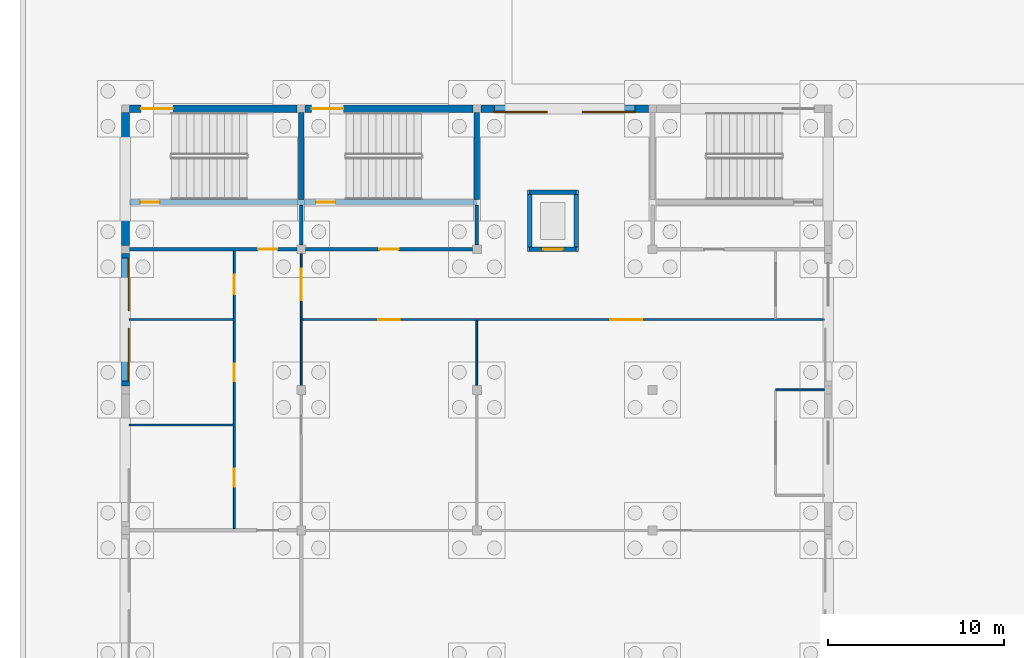
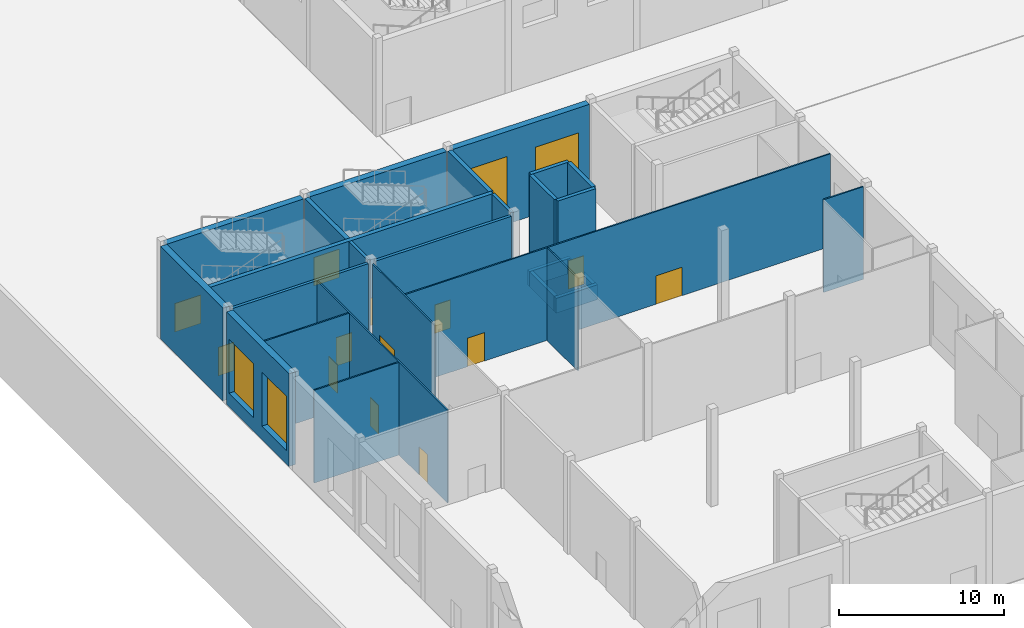
# One storey, part 167 of 239: 27 walls, 13 doors, 4 windows, 17 openings.
"""IFC4 building model written with IfcOpenShell, lengths in metres."""

from ifc_helpers import new_model, si_unit, direction, frame, frame_2d, origin, place, context, subcontext, project, spatial, rectangle, extrude, material, layer, layer_set, type_object, element, fill, save


model = new_model("IFC4")

# Units and contexts
model_context = context("Model", 3, precision=1e-05, world=origin(), true_north=direction((0.0, 1.0)))
body_context = subcontext(model_context, "Body", "Model", "MODEL_VIEW")
ifc_project = project(units=[si_unit("LENGTHUNIT", "METRE"), si_unit("AREAUNIT", "SQUARE_METRE"), si_unit("VOLUMEUNIT", "CUBIC_METRE"), si_unit("PLANEANGLEUNIT", "RADIAN"), si_unit("MASSUNIT", "GRAM", prefix="KILO")], contexts=[model_context])

# Site, building, storey
site_placement = place(None, origin())
site = spatial("IfcSite", under=ifc_project, at=site_placement, CompositionType="ELEMENT")
building_placement = place(site_placement, origin())
building = spatial("IfcBuilding", under=site, at=building_placement, Name="Okhra Congress Centre", CompositionType="ELEMENT")
storey_placement = place(building_placement, origin())
storey = spatial("IfcBuildingStorey", under=building, at=storey_placement, Name="L00", CompositionType="ELEMENT", Elevation=0.0)

# Wall, opening, door
ifc_material_1 = material(Name="Masonry blockwork (aerated concrete D500)", Category="masonry")
ifc_layer_1 = layer(ifc_material_1, 0.199951171875)
ifc_layer_set_1 = layer_set([ifc_layer_1], Name="Masonry block wall 200 EI 45")
wall_type_1 = type_object("IfcWallType", Name="Masonry block wall 200 EI 45", PredefinedType="SOLIDWALL", material=ifc_layer_set_1)
wall_1_placement = place(storey_placement, frame((6.22509765625, 76.0, 0.0), z_axis=(0.0, 0.0, 1.0), x_axis=(1.0, 0.0, 0.0)))
wall_1 = element("IfcWall", 1, at=wall_1_placement, inside=storey, type_object=wall_type_1, Name="RS.WALL.L00.19", PredefinedType="SOLIDWALL", context=body_context, shape_type="SweptSolid", body=[
    extrude(rectangle(XDim=9.52490234375, YDim=0.199951171875, at=frame_2d((4.762451171875, 0.0))), origin(), (0.0, 0.0, 1.0), 6.85009765625),
])
opening_1_placement = place(wall_1_placement, frame((7.324951171875, 0.0, 0.0)))
opening_1 = element("IfcOpeningElement", 2, at=opening_1_placement, cuts=wall_1, Name="Opening L00-168", PredefinedType="OPENING", context=body_context, shape_type="SweptSolid", body=[
    extrude(rectangle(XDim=1.10009765625, YDim=2.10009765625, at=frame_2d((0.550048828125, 1.050048828125))), frame((0.0, 0.10986328125, 0.0), z_axis=(0.0, -1.0, 0.0), x_axis=(1.0, 0.0, 0.0)), (0.0, 0.0, 1.0), 0.219970703125),
])
ifc_material_2 = material(Name="Steel fire door leaf in steel frame, intumescent seals", Category="steel")
door_type_1 = type_object("IfcDoorType", Name="Steel fire door 1100x2100 EI 30", OperationType="NOTDEFINED", PredefinedType="DOOR", material=ifc_material_2)
door_1_placement = place(opening_1_placement, origin())
door_1 = element("IfcDoor", 3, at=door_1_placement, inside=storey, type_object=door_type_1, Name="Door L00-168", OperationType="SINGLE_SWING_LEFT", OverallHeight=2.10009765625, OverallWidth=1.10009765625, PredefinedType="DOOR", context=body_context, shape_type="SweptSolid", body=[
    extrude(rectangle(XDim=1.10009765625, YDim=2.10009765625, at=frame_2d((0.550048828125, 1.050048828125))), frame((0.0, 0.02490234375, 0.0), z_axis=(0.0, -1.0, 0.0), x_axis=(1.0, 0.0, 0.0)), (0.0, 0.0, 1.0), 0.050048828125),
])
fill(opening_1, door_1)

wall_2_placement = place(storey_placement, frame((16.25, 76.0, 0.0), z_axis=(0.0, 0.0, 1.0), x_axis=(1.0, 0.0, 0.0)))
wall_2 = element("IfcWall", 4, at=wall_2_placement, inside=storey, type_object=wall_type_1, Name="RS.WALL.L00.20", PredefinedType="SOLIDWALL", context=body_context, shape_type="SweptSolid", body=[
    extrude(rectangle(XDim=9.5, YDim=0.199951171875, at=frame_2d((4.75, 0.0))), origin(), (0.0, 0.0, 1.0), 6.85009765625),
])
opening_2_placement = place(wall_2_placement, frame((4.199951171875, 0.0, 0.0)))
opening_2 = element("IfcOpeningElement", 5, at=opening_2_placement, cuts=wall_2, Name="Opening L00-170", PredefinedType="OPENING", context=body_context, shape_type="SweptSolid", body=[
    extrude(rectangle(XDim=1.10009765625, YDim=2.10009765625, at=frame_2d((0.550048828125, 1.050048828125))), frame((0.0, 0.10986328125, 0.0), z_axis=(0.0, -1.0, 0.0), x_axis=(1.0, 0.0, 0.0)), (0.0, 0.0, 1.0), 0.219970703125),
])
door_2_placement = place(opening_2_placement, origin())
door_2 = element("IfcDoor", 6, at=door_2_placement, inside=storey, type_object=door_type_1, Name="Door L00-170", OperationType="SINGLE_SWING_LEFT", OverallHeight=2.10009765625, OverallWidth=1.10009765625, PredefinedType="DOOR", context=body_context, shape_type="SweptSolid", body=[
    extrude(rectangle(XDim=1.10009765625, YDim=2.10009765625, at=frame_2d((0.550048828125, 1.050048828125))), frame((0.0, 0.02490234375, 0.0), z_axis=(0.0, -1.0, 0.0), x_axis=(1.0, 0.0, 0.0)), (0.0, 0.0, 1.0), 0.050048828125),
])
fill(opening_2, door_2)

# Walls
for number, where, z_axis, x_axis, name in (
    (7, (16.0, 76.25, 0.0), (0.0, 0.0, 1.0), (0.0, 1.0, 0.0), "RS.WALL.L00.42"),
    (8, (26.0, 76.25, 0.0), (0.0, 0.0, 1.0), (0.0, 1.0, 0.0), "RS.WALL.L00.48"),
):
    element("IfcWall", number, at=place(storey_placement, frame(where, z_axis=z_axis, x_axis=x_axis)), inside=storey, type_object=wall_type_1, Name=name, PredefinedType="SOLIDWALL", context=body_context, shape_type="SweptSolid", body=[
        extrude(rectangle(XDim=2.27490234375, YDim=0.199951171875, at=frame_2d((1.137451171875, 0.0))), origin(), (0.0, 0.0, 1.0), 6.85009765625),
    ])
ifc_material_3 = material(Name="Gypsum board on steel studs", Category="steel")
ifc_layer_2 = layer(ifc_material_3, 0.10009765625)
ifc_layer_set_2 = layer_set([ifc_layer_2], Name="Partition 100 EI 15")
wall_type_2 = type_object("IfcWallType", Name="Partition 100 EI 15", PredefinedType="PARTITIONING", material=ifc_layer_set_2)
wall_3_placement = place(storey_placement, frame((6.22509765625, 66.0, 0.0), z_axis=(0.0, 0.0, 1.0), x_axis=(1.0, 0.0, 0.0)))
element("IfcWall", 9, at=wall_3_placement, inside=storey, type_object=wall_type_2, Name="RS.WALL.L00.15", PredefinedType="PARTITIONING", context=body_context, shape_type="SweptSolid", body=[
    extrude(rectangle(XDim=5.9248046875, YDim=0.10009765625, at=frame_2d((2.96240234375, 0.0))), origin(), (0.0, 0.0, 1.0), 6.85009765625),
])
wall_4_placement = place(storey_placement, frame((43.0, 68.0, 0.0), z_axis=(0.0, 0.0, 1.0), x_axis=(1.0, 0.0, 0.0)))
element("IfcWall", 10, at=wall_4_placement, inside=storey, type_object=wall_type_2, Name="RS.WALL.L00.16", PredefinedType="PARTITIONING", context=body_context, shape_type="SweptSolid", body=[
    extrude(rectangle(XDim=2.77490234375, YDim=0.10009765625, at=frame_2d((1.387451171875, 0.0))), origin(), (0.0, 0.0, 1.0), 6.85009765625),
])
wall_5_placement = place(storey_placement, frame((6.22509765625, 72.0, 0.0), z_axis=(0.0, 0.0, 1.0), x_axis=(1.0, 0.0, 0.0)))
element("IfcWall", 11, at=wall_5_placement, inside=storey, type_object=wall_type_2, Name="RS.WALL.L00.17", PredefinedType="PARTITIONING", context=body_context, shape_type="SweptSolid", body=[
    extrude(rectangle(XDim=5.9248046875, YDim=0.10009765625, at=frame_2d((2.96240234375, 0.0))), origin(), (0.0, 0.0, 1.0), 6.85009765625),
])

# Wall, openings, doors
wall_6_placement = place(storey_placement, frame((16.050048828125, 72.0, 0.0), z_axis=(0.0, 0.0, 1.0), x_axis=(1.0, 0.0, 0.0)))
wall_6 = element("IfcWall", 12, at=wall_6_placement, inside=storey, type_object=wall_type_2, Name="RS.WALL.L00.18", PredefinedType="PARTITIONING", context=body_context, shape_type="SweptSolid", body=[
    extrude(rectangle(XDim=29.724853515625, YDim=0.10009765625, at=frame_2d((14.8623046875, 0.0))), origin(), (0.0, 0.0, 1.0), 6.85009765625),
])
opening_3_placement = place(wall_6_placement, frame((4.35009765625, 0.0, 0.0)))
opening_3 = element("IfcOpeningElement", 13, at=opening_3_placement, cuts=wall_6, Name="Opening L00-182", PredefinedType="OPENING", context=body_context, shape_type="SweptSolid", body=[
    extrude(rectangle(XDim=1.199951171875, YDim=2.10009765625, at=frame_2d((0.60009765625, 1.050048828125))), frame((0.0, 0.06005859375, 0.0), z_axis=(0.0, -1.0, 0.0), x_axis=(1.0, 0.0, 0.0)), (0.0, 0.0, 1.0), 0.1201171875),
])
opening_4_placement = place(wall_6_placement, frame((17.550048828125, 0.0, 0.0)))
opening_4 = element("IfcOpeningElement", 14, at=opening_4_placement, cuts=wall_6, Name="Opening L00-184", PredefinedType="OPENING", context=body_context, shape_type="SweptSolid", body=[
    extrude(rectangle(XDim=1.800048828125, YDim=2.10009765625, at=frame_2d((0.89990234375, 1.050048828125))), frame((0.0, 0.06005859375, 0.0), z_axis=(0.0, -1.0, 0.0), x_axis=(1.0, 0.0, 0.0)), (0.0, 0.0, 1.0), 0.1201171875),
])
ifc_material_4 = material(Name="Timber door leaves in steel frame", Category="steel")
door_type_2 = type_object("IfcDoorType", Name="Double swing door 1800x2100", OperationType="NOTDEFINED", PredefinedType="DOOR", material=ifc_material_4)
door_3_placement = place(opening_4_placement, origin())
door_3 = element("IfcDoor", 15, at=door_3_placement, inside=storey, type_object=door_type_2, Name="Door L00-184", OperationType="DOUBLE_DOOR_SINGLE_SWING", OverallHeight=2.10009765625, OverallWidth=1.800048828125, PredefinedType="DOOR", context=body_context, shape_type="SweptSolid", body=[
    extrude(rectangle(XDim=1.800048828125, YDim=2.10009765625, at=frame_2d((0.89990234375, 1.050048828125))), frame((0.0, 0.02490234375, 0.0), z_axis=(0.0, -1.0, 0.0), x_axis=(1.0, 0.0, 0.0)), (0.0, 0.0, 1.0), 0.050048828125),
])
fill(opening_4, door_3)
ifc_material_5 = material(Name="Timber door leaf in steel frame", Category="steel")
door_type_3 = type_object("IfcDoorType", Name="Single swing door 1200x2100", OperationType="NOTDEFINED", PredefinedType="DOOR", material=ifc_material_5)
door_4_placement = place(opening_3_placement, origin())
door_4 = element("IfcDoor", 16, at=door_4_placement, inside=storey, type_object=door_type_3, Name="Door L00-182", OperationType="SINGLE_SWING_LEFT", OverallHeight=2.10009765625, OverallWidth=1.199951171875, PredefinedType="DOOR", context=body_context, shape_type="SweptSolid", body=[
    extrude(rectangle(XDim=1.199951171875, YDim=2.10009765625, at=frame_2d((0.60009765625, 1.050048828125))), frame((0.0, 0.02490234375, 0.0), z_axis=(0.0, -1.0, 0.0), x_axis=(1.0, 0.0, 0.0)), (0.0, 0.0, 1.0), 0.050048828125),
])
fill(opening_3, door_4)

wall_7_placement = place(storey_placement, frame((12.199951171875, 60.10009765625, 0.0), z_axis=(0.0, 0.0, 1.0), x_axis=(0.0, 1.0, 0.0)))
wall_7 = element("IfcWall", 17, at=wall_7_placement, inside=storey, type_object=wall_type_2, Name="RS.WALL.L00.36", PredefinedType="PARTITIONING", context=body_context, shape_type="SweptSolid", body=[
    extrude(rectangle(XDim=15.7998046875, YDim=0.10009765625, at=frame_2d((7.89990234375, 0.0))), origin(), (0.0, 0.0, 1.0), 6.85009765625),
])
opening_5_placement = place(wall_7_placement, frame((2.39990234375, 0.0, 0.0)))
opening_5 = element("IfcOpeningElement", 18, at=opening_5_placement, cuts=wall_7, Name="Opening L00-176", PredefinedType="OPENING", context=body_context, shape_type="SweptSolid", body=[
    extrude(rectangle(XDim=1.0, YDim=2.10009765625, at=frame_2d((0.5, 1.050048828125))), frame((0.0, 0.06005859375, 0.0), z_axis=(0.0, -1.0, 0.0), x_axis=(1.0, 0.0, 0.0)), (0.0, 0.0, 1.0), 0.1201171875),
])
opening_6_placement = place(wall_7_placement, frame((8.39990234375, 0.0, 0.0)))
opening_6 = element("IfcOpeningElement", 19, at=opening_6_placement, cuts=wall_7, Name="Opening L00-177", PredefinedType="OPENING", context=body_context, shape_type="SweptSolid", body=[
    extrude(rectangle(XDim=1.0, YDim=2.10009765625, at=frame_2d((0.5, 1.050048828125))), frame((0.0, 0.06005859375, 0.0), z_axis=(0.0, -1.0, 0.0), x_axis=(1.0, 0.0, 0.0)), (0.0, 0.0, 1.0), 0.1201171875),
])
opening_7_placement = place(wall_7_placement, frame((13.35009765625, 0.0, 0.0)))
opening_7 = element("IfcOpeningElement", 20, at=opening_7_placement, cuts=wall_7, Name="Opening L00-178", PredefinedType="OPENING", context=body_context, shape_type="SweptSolid", body=[
    extrude(rectangle(XDim=1.10009765625, YDim=2.10009765625, at=frame_2d((0.550048828125, 1.050048828125))), frame((0.0, 0.06005859375, 0.0), z_axis=(0.0, -1.0, 0.0), x_axis=(1.0, 0.0, 0.0)), (0.0, 0.0, 1.0), 0.1201171875),
])
door_type_4 = type_object("IfcDoorType", Name="Single swing door 1000x2100", OperationType="NOTDEFINED", PredefinedType="DOOR", material=ifc_material_5)
door_5_placement = place(opening_5_placement, frame((1.0, 0.0, 0.0), z_axis=(0.0, 0.0, 1.0), x_axis=(-1.0, 0.0, 0.0)))
door_5 = element("IfcDoor", 21, at=door_5_placement, inside=storey, type_object=door_type_4, Name="Door L00-176", OperationType="SINGLE_SWING_RIGHT", OverallHeight=2.10009765625, OverallWidth=1.0, PredefinedType="DOOR", context=body_context, shape_type="SweptSolid", body=[
    extrude(rectangle(XDim=1.0, YDim=2.10009765625, at=frame_2d((0.5, 1.050048828125))), frame((0.0, 0.02490234375, 0.0), z_axis=(0.0, -1.0, 0.0), x_axis=(1.0, 0.0, 0.0)), (0.0, 0.0, 1.0), 0.050048828125),
])
fill(opening_5, door_5)
door_6_placement = place(opening_6_placement, frame((1.0, 0.0, 0.0), z_axis=(0.0, 0.0, 1.0), x_axis=(-1.0, 0.0, 0.0)))
door_6 = element("IfcDoor", 22, at=door_6_placement, inside=storey, type_object=door_type_4, Name="Door L00-177", OperationType="SINGLE_SWING_LEFT", OverallHeight=2.10009765625, OverallWidth=1.0, PredefinedType="DOOR", context=body_context, shape_type="SweptSolid", body=[
    extrude(rectangle(XDim=1.0, YDim=2.10009765625, at=frame_2d((0.5, 1.050048828125))), frame((0.0, 0.02490234375, 0.0), z_axis=(0.0, -1.0, 0.0), x_axis=(1.0, 0.0, 0.0)), (0.0, 0.0, 1.0), 0.050048828125),
])
fill(opening_6, door_6)
door_type_5 = type_object("IfcDoorType", Name="Single swing door 1100x2100", OperationType="NOTDEFINED", PredefinedType="DOOR", material=ifc_material_5)
door_7_placement = place(opening_7_placement, frame((1.10009765625, 0.0, 0.0), z_axis=(0.0, 0.0, 1.0), x_axis=(-1.0, 0.0, 0.0)))
door_7 = element("IfcDoor", 23, at=door_7_placement, inside=storey, type_object=door_type_5, Name="Door L00-178", OperationType="SINGLE_SWING_RIGHT", OverallHeight=2.10009765625, OverallWidth=1.10009765625, PredefinedType="DOOR", context=body_context, shape_type="SweptSolid", body=[
    extrude(rectangle(XDim=1.10009765625, YDim=2.10009765625, at=frame_2d((0.550048828125, 1.050048828125))), frame((0.0, 0.02490234375, 0.0), z_axis=(0.0, -1.0, 0.0), x_axis=(1.0, 0.0, 0.0)), (0.0, 0.0, 1.0), 0.050048828125),
])
fill(opening_7, door_7)

# Wall, opening, door
wall_8_placement = place(storey_placement, frame((16.0, 68.25, 0.0), z_axis=(0.0, 0.0, 1.0), x_axis=(0.0, 1.0, 0.0)))
wall_8 = element("IfcWall", 24, at=wall_8_placement, inside=storey, type_object=wall_type_2, Name="RS.WALL.L00.41", PredefinedType="PARTITIONING", context=body_context, shape_type="SweptSolid", body=[
    extrude(rectangle(XDim=7.5, YDim=0.10009765625, at=frame_2d((3.75, 0.0))), origin(), (0.0, 0.0, 1.0), 6.85009765625),
])
opening_8_placement = place(wall_8_placement, frame((4.85009765625, 0.0, 0.0)))
opening_8 = element("IfcOpeningElement", 25, at=opening_8_placement, cuts=wall_8, Name="Opening L00-185", PredefinedType="OPENING", context=body_context, shape_type="SweptSolid", body=[
    extrude(rectangle(XDim=1.800048828125, YDim=2.10009765625, at=frame_2d((0.89990234375, 1.050048828125))), frame((0.0, 0.06005859375, 0.0), z_axis=(0.0, -1.0, 0.0), x_axis=(1.0, 0.0, 0.0)), (0.0, 0.0, 1.0), 0.1201171875),
])
door_8_placement = place(opening_8_placement, origin())
door_8 = element("IfcDoor", 26, at=door_8_placement, inside=storey, type_object=door_type_2, Name="Door L00-185", OperationType="DOUBLE_DOOR_SINGLE_SWING", OverallHeight=2.10009765625, OverallWidth=1.800048828125, PredefinedType="DOOR", context=body_context, shape_type="SweptSolid", body=[
    extrude(rectangle(XDim=1.800048828125, YDim=2.10009765625, at=frame_2d((0.89990234375, 1.050048828125))), frame((0.0, 0.02490234375, 0.0), z_axis=(0.0, -1.0, 0.0), x_axis=(1.0, 0.0, 0.0)), (0.0, 0.0, 1.0), 0.050048828125),
])
fill(opening_8, door_8)

# Wall
wall_9_placement = place(storey_placement, frame((26.0, 68.25, 0.0), z_axis=(0.0, 0.0, 1.0), x_axis=(0.0, 1.0, 0.0)))
element("IfcWall", 27, at=wall_9_placement, inside=storey, type_object=wall_type_2, Name="RS.WALL.L00.47", PredefinedType="PARTITIONING", context=body_context, shape_type="SweptSolid", body=[
    extrude(rectangle(XDim=3.699951171875, YDim=0.10009765625, at=frame_2d((1.85009765625, 0.0))), origin(), (0.0, 0.0, 1.0), 6.85009765625),
])

# Wall, openings, doors
ifc_material_6 = material(Name="Concrete C35/45", Category="concrete")
ifc_layer_3 = layer(ifc_material_6, 0.300048828125)
ifc_layer_set_3 = layer_set([ifc_layer_3], Name="RC core wall 300 REI 120 C35/45")
wall_type_3 = type_object("IfcWallType", Name="RC core wall 300 REI 120 C35/45", PredefinedType="SHEAR", material=ifc_layer_set_3)
wall_10_placement = place(storey_placement, frame((6.22509765625, 78.675048828125, 0.0), z_axis=(0.0, 0.0, 1.0), x_axis=(1.0, 0.0, 0.0)))
wall_10 = element("IfcWall", 28, at=wall_10_placement, inside=storey, type_object=wall_type_3, Name="RS.WALL.L00.23", PredefinedType="SHEAR", context=body_context, shape_type="SweptSolid", body=[
    extrude(rectangle(XDim=19.77490234375, YDim=0.300048828125, at=frame_2d((9.887451171875, 0.0))), origin(), (0.0, 0.0, 1.0), 6.85009765625),
])
opening_9_placement = place(wall_10_placement, frame((0.625, 0.0, 0.0)))
opening_9 = element("IfcOpeningElement", 29, at=opening_9_placement, cuts=wall_10, Name="Opening L00-169", PredefinedType="OPENING", context=body_context, shape_type="SweptSolid", body=[
    extrude(rectangle(XDim=1.10009765625, YDim=2.10009765625, at=frame_2d((0.550048828125, 1.050048828125))), frame((0.0, 0.159912109375, 0.0), z_axis=(0.0, -1.0, 0.0), x_axis=(1.0, 0.0, 0.0)), (0.0, 0.0, 1.0), 0.320068359375),
])
opening_10_placement = place(wall_10_placement, frame((10.625, 0.0, 0.0)))
opening_10 = element("IfcOpeningElement", 30, at=opening_10_placement, cuts=wall_10, Name="Opening L00-171", PredefinedType="OPENING", context=body_context, shape_type="SweptSolid", body=[
    extrude(rectangle(XDim=1.10009765625, YDim=2.10009765625, at=frame_2d((0.550048828125, 1.050048828125))), frame((0.0, 0.159912109375, 0.0), z_axis=(0.0, -1.0, 0.0), x_axis=(1.0, 0.0, 0.0)), (0.0, 0.0, 1.0), 0.320068359375),
])
door_9_placement = place(opening_9_placement, origin())
door_9 = element("IfcDoor", 31, at=door_9_placement, inside=storey, type_object=door_type_1, Name="Door L00-169", OperationType="SINGLE_SWING_RIGHT", OverallHeight=2.10009765625, OverallWidth=1.10009765625, PredefinedType="DOOR", context=body_context, shape_type="SweptSolid", body=[
    extrude(rectangle(XDim=1.10009765625, YDim=2.10009765625, at=frame_2d((0.550048828125, 1.050048828125))), frame((0.0, 0.02490234375, 0.0), z_axis=(0.0, -1.0, 0.0), x_axis=(1.0, 0.0, 0.0)), (0.0, 0.0, 1.0), 0.050048828125),
])
fill(opening_9, door_9)
door_10_placement = place(opening_10_placement, origin())
door_10 = element("IfcDoor", 32, at=door_10_placement, inside=storey, type_object=door_type_1, Name="Door L00-171", OperationType="SINGLE_SWING_RIGHT", OverallHeight=2.10009765625, OverallWidth=1.10009765625, PredefinedType="DOOR", context=body_context, shape_type="SweptSolid", body=[
    extrude(rectangle(XDim=1.10009765625, YDim=2.10009765625, at=frame_2d((0.550048828125, 1.050048828125))), frame((0.0, 0.02490234375, 0.0), z_axis=(0.0, -1.0, 0.0), x_axis=(1.0, 0.0, 0.0)), (0.0, 0.0, 1.0), 0.050048828125),
])
fill(opening_10, door_10)

# Walls
for number, where, z_axis, x_axis, name in (
    (33, (16.0, 78.824951171875, 0.0), (0.0, 0.0, 1.0), (0.0, 1.0, 0.0), "RS.WALL.L00.43"),
    (34, (26.0, 78.824951171875, 0.0), (0.0, 0.0, 1.0), (0.0, 1.0, 0.0), "RS.WALL.L00.49"),
):
    element("IfcWall", number, at=place(storey_placement, frame(where, z_axis=z_axis, x_axis=x_axis)), inside=storey, type_object=wall_type_3, Name=name, PredefinedType="SHEAR", context=body_context, shape_type="SweptSolid", body=[
        extrude(rectangle(XDim=4.949951171875, YDim=0.300048828125, at=frame_2d((2.47509765625, 0.0))), origin(), (0.0, 0.0, 1.0), 6.85009765625),
    ])

# Wall, opening, door
ifc_material_7 = material(Name="Concrete C30/37", Category="concrete")
ifc_layer_4 = layer(ifc_material_7, 0.449951171875)
ifc_layer_set_4 = layer_set([ifc_layer_4], Name="RC facade wall 450 REI 120 C30/37")
wall_type_4 = type_object("IfcWallType", Name="RC facade wall 450 REI 120 C30/37", PredefinedType="SOLIDWALL", material=ifc_layer_set_4)
wall_11_placement = place(storey_placement, frame((15.77490234375, 84.0, 0.0), z_axis=(0.0, 0.0, 1.0), x_axis=(-1.0, 0.0, 0.0)))
wall_11 = element("IfcWall", 35, at=wall_11_placement, inside=storey, type_object=wall_type_4, Name="RS.WALL.L00.26", PredefinedType="SOLIDWALL", context=body_context, shape_type="SweptSolid", body=[
    extrude(rectangle(XDim=9.5498046875, YDim=0.449951171875, at=frame_2d((4.77490234375, 0.0))), origin(), (0.0, 0.0, 1.0), 6.85009765625),
])
opening_11_placement = place(wall_11_placement, frame((7.074951171875, 0.0, 0.0)))
opening_11 = element("IfcOpeningElement", 36, at=opening_11_placement, cuts=wall_11, Name="Opening L00-194", PredefinedType="OPENING", context=body_context, shape_type="SweptSolid", body=[
    extrude(rectangle(XDim=1.800048828125, YDim=2.10009765625, at=frame_2d((0.89990234375, 1.050048828125))), frame((0.0, 0.23486328125, 0.0), z_axis=(0.0, -1.0, 0.0), x_axis=(1.0, 0.0, 0.0)), (0.0, 0.0, 1.0), 0.469970703125),
])
ifc_material_8 = material(Name="Steel fire door leaves in steel frame, intumescent seals", Category="steel")
door_type_6 = type_object("IfcDoorType", Name="Steel fire door pair 1800x2100 EI 30", OperationType="NOTDEFINED", PredefinedType="DOOR", material=ifc_material_8)
door_11_placement = place(opening_11_placement, frame((1.800048828125, 0.0, 0.0), z_axis=(0.0, 0.0, 1.0), x_axis=(-1.0, 0.0, 0.0)))
door_11 = element("IfcDoor", 37, at=door_11_placement, inside=storey, type_object=door_type_6, Name="Door L00-194", OperationType="DOUBLE_DOOR_SINGLE_SWING", OverallHeight=2.10009765625, OverallWidth=1.800048828125, PredefinedType="DOOR", context=body_context, shape_type="SweptSolid", body=[
    extrude(rectangle(XDim=1.800048828125, YDim=2.10009765625, at=frame_2d((0.89990234375, 1.050048828125))), frame((0.0, 0.02490234375, 0.0), z_axis=(0.0, -1.0, 0.0), x_axis=(1.0, 0.0, 0.0)), (0.0, 0.0, 1.0), 0.050048828125),
])
fill(opening_11, door_11)

wall_12_placement = place(storey_placement, frame((25.77490234375, 84.0, 0.0), z_axis=(0.0, 0.0, 1.0), x_axis=(-1.0, 0.0, 0.0)))
wall_12 = element("IfcWall", 38, at=wall_12_placement, inside=storey, type_object=wall_type_4, Name="RS.WALL.L00.27", PredefinedType="SOLIDWALL", context=body_context, shape_type="SweptSolid", body=[
    extrude(rectangle(XDim=9.5498046875, YDim=0.449951171875, at=frame_2d((4.77490234375, 0.0))), origin(), (0.0, 0.0, 1.0), 6.85009765625),
])
opening_12_placement = place(wall_12_placement, frame((7.375, 0.0, 0.0)))
opening_12 = element("IfcOpeningElement", 39, at=opening_12_placement, cuts=wall_12, Name="Opening L00-195", PredefinedType="OPENING", context=body_context, shape_type="SweptSolid", body=[
    extrude(rectangle(XDim=1.800048828125, YDim=2.10009765625, at=frame_2d((0.89990234375, 1.050048828125))), frame((0.0, 0.23486328125, 0.0), z_axis=(0.0, -1.0, 0.0), x_axis=(1.0, 0.0, 0.0)), (0.0, 0.0, 1.0), 0.469970703125),
])
door_12_placement = place(opening_12_placement, frame((1.800048828125, 0.0, 0.0), z_axis=(0.0, 0.0, 1.0), x_axis=(-1.0, 0.0, 0.0)))
door_12 = element("IfcDoor", 40, at=door_12_placement, inside=storey, type_object=door_type_6, Name="Door L00-195", OperationType="DOUBLE_DOOR_SINGLE_SWING", OverallHeight=2.10009765625, OverallWidth=1.800048828125, PredefinedType="DOOR", context=body_context, shape_type="SweptSolid", body=[
    extrude(rectangle(XDim=1.800048828125, YDim=2.10009765625, at=frame_2d((0.89990234375, 1.050048828125))), frame((0.0, 0.02490234375, 0.0), z_axis=(0.0, -1.0, 0.0), x_axis=(1.0, 0.0, 0.0)), (0.0, 0.0, 1.0), 0.050048828125),
])
fill(opening_12, door_12)

# Wall
wall_13_placement = place(storey_placement, frame((6.0, 83.77490234375, 0.0), z_axis=(0.0, 0.0, 1.0), x_axis=(0.0, -1.0, 0.0)))
element("IfcWall", 41, at=wall_13_placement, inside=storey, type_object=wall_type_4, Name="RS.WALL.L00.35", PredefinedType="SOLIDWALL", context=body_context, shape_type="SweptSolid", body=[
    extrude(rectangle(XDim=7.5498046875, YDim=0.449951171875, at=frame_2d((3.77490234375, 0.0))), origin(), (0.0, 0.0, 1.0), 6.85009765625),
])

# Wall, opening, door
ifc_layer_5 = layer(ifc_material_7, 0.25)
ifc_layer_set_5 = layer_set([ifc_layer_5], Name="RC wall 250 REI 120 C30/37")
wall_type_5 = type_object("IfcWallType", Name="RC wall 250 REI 120 C30/37", PredefinedType="SOLIDWALL", material=ifc_layer_set_5)
wall_14_placement = place(storey_placement, frame((29.0, 76.0, 0.0), z_axis=(0.0, 0.0, 1.0), x_axis=(1.0, 0.0, 0.0)))
wall_14 = element("IfcWall", 42, at=wall_14_placement, inside=storey, type_object=wall_type_5, Name="RS.WALL.L00.21", PredefinedType="SOLIDWALL", context=body_context, shape_type="SweptSolid", body=[
    extrude(rectangle(XDim=2.64990234375, YDim=0.25, at=frame_2d((1.324951171875, 0.0))), origin(), (0.0, 0.0, 1.0), 6.85009765625),
])
opening_13_placement = place(wall_14_placement, frame((0.77490234375, 0.0, 0.0)))
opening_13 = element("IfcOpeningElement", 43, at=opening_13_placement, cuts=wall_14, Name="Opening L00-199", PredefinedType="OPENING", context=body_context, shape_type="SweptSolid", body=[
    extrude(rectangle(XDim=1.10009765625, YDim=2.10009765625, at=frame_2d((0.550048828125, 1.050048828125))), frame((0.0, 0.135009765625, 0.0), z_axis=(0.0, -1.0, 0.0), x_axis=(1.0, 0.0, 0.0)), (0.0, 0.0, 1.0), 0.27001953125),
])
ifc_material_9 = material(Name="Stainless steel sliding landing door leaves", Category="steel")
door_type_7 = type_object("IfcDoorType", Name="Lift landing door 1100x2100 EI 30", OperationType="DOUBLE_DOOR_SLIDING", PredefinedType="DOOR", material=ifc_material_9)
door_13_placement = place(opening_13_placement, origin())
door_13 = element("IfcDoor", 44, at=door_13_placement, inside=storey, type_object=door_type_7, Name="Door L00-199", OperationType="DOUBLE_DOOR_SLIDING", OverallHeight=2.10009765625, OverallWidth=1.10009765625, PredefinedType="DOOR", context=body_context, shape_type="SweptSolid", body=[
    extrude(rectangle(XDim=1.10009765625, YDim=2.10009765625, at=frame_2d((0.550048828125, 1.050048828125))), frame((0.0, 0.02490234375, 0.0), z_axis=(0.0, -1.0, 0.0), x_axis=(1.0, 0.0, 0.0)), (0.0, 0.0, 1.0), 0.050048828125),
])
fill(opening_13, door_13)

# Walls
wall_15_placement = place(storey_placement, frame((29.0, 79.25, 0.0), z_axis=(0.0, 0.0, 1.0), x_axis=(1.0, 0.0, 0.0)))
element("IfcWall", 45, at=wall_15_placement, inside=storey, type_object=wall_type_5, Name="RS.WALL.L00.25", PredefinedType="SOLIDWALL", context=body_context, shape_type="SweptSolid", body=[
    extrude(rectangle(XDim=2.64990234375, YDim=0.25, at=frame_2d((1.324951171875, 0.0))), origin(), (0.0, 0.0, 1.0), 6.85009765625),
])
for number, where, z_axis, x_axis, name in (
    (46, (29.0, 76.125, 0.0), (0.0, 0.0, 1.0), (0.0, 1.0, 0.0), "RS.WALL.L00.50"),
    (47, (31.64990234375, 76.125, 0.0), (0.0, 0.0, 1.0), (0.0, 1.0, 0.0), "RS.WALL.L00.51"),
):
    element("IfcWall", number, at=place(storey_placement, frame(where, z_axis=z_axis, x_axis=x_axis)), inside=storey, type_object=wall_type_5, Name=name, PredefinedType="SOLIDWALL", context=body_context, shape_type="SweptSolid", body=[
        extrude(rectangle(XDim=3.0, YDim=0.25, at=frame_2d((1.5, 0.0))), origin(), (0.0, 0.0, 1.0), 6.85009765625),
    ])
for number, where, z_axis, x_axis, name in (
    (48, (28.875, 76.0, -1.39990234375), (0.0, 0.0, 1.0), (1.0, 0.0, 0.0), "Lift pit wall"),
    (49, (28.875, 79.25, -1.39990234375), (0.0, 0.0, 1.0), (1.0, 0.0, 0.0), "Lift pit wall"),
):
    element("IfcWall", number, at=place(storey_placement, frame(where, z_axis=z_axis, x_axis=x_axis)), inside=storey, type_object=wall_type_5, Name=name, PredefinedType="SOLIDWALL", context=body_context, shape_type="SweptSolid", body=[
        extrude(rectangle(XDim=2.89990234375, YDim=0.25, at=frame_2d((1.449951171875, 0.0))), origin(), (0.0, 0.0, 1.0), 1.099853515625),
    ])
for number, where, z_axis, x_axis, name in (
    (50, (29.0, 76.125, -1.39990234375), (0.0, 0.0, 1.0), (0.0, 1.0, 0.0), "Lift pit wall"),
    (51, (31.64990234375, 76.125, -1.39990234375), (0.0, 0.0, 1.0), (0.0, 1.0, 0.0), "Lift pit wall"),
):
    element("IfcWall", number, at=place(storey_placement, frame(where, z_axis=z_axis, x_axis=x_axis)), inside=storey, type_object=wall_type_5, Name=name, PredefinedType="SOLIDWALL", context=body_context, shape_type="SweptSolid", body=[
        extrude(rectangle(XDim=3.0, YDim=0.25, at=frame_2d((1.5, 0.0))), origin(), (0.0, 0.0, 1.0), 1.099853515625),
    ])

# Wall, openings, windows
ifc_material_10 = material(Name="Render on mineral wool insulation over masonry backing", Category="masonry")
ifc_layer_6 = layer(ifc_material_10, 0.449951171875)
ifc_layer_set_6 = layer_set([ifc_layer_6], Name="Rendered insulated wall 450")
wall_type_6 = type_object("IfcWallType", Name="Rendered insulated wall 450", PredefinedType="SOLIDWALL", material=ifc_layer_set_6)
wall_16_placement = place(storey_placement, frame((35.77490234375, 84.0, 0.0), z_axis=(0.0, 0.0, 1.0), x_axis=(-1.0, 0.0, 0.0)))
wall_16 = element("IfcWall", 52, at=wall_16_placement, inside=storey, type_object=wall_type_6, Name="RS.WALL.L00.28", PredefinedType="SOLIDWALL", context=body_context, shape_type="SweptSolid", body=[
    extrude(rectangle(XDim=9.5498046875, YDim=0.449951171875, at=frame_2d((4.77490234375, 0.0))), origin(), (0.0, 0.0, 1.0), 6.85009765625),
])
opening_14_placement = place(wall_16_placement, frame((5.77490234375, 0.0, 1.0)))
opening_14 = element("IfcOpeningElement", 53, at=opening_14_placement, cuts=wall_16, Name="Opening WN12", PredefinedType="OPENING", context=body_context, shape_type="SweptSolid", body=[
    extrude(rectangle(XDim=3.0, YDim=4.0, at=frame_2d((1.5, 2.0))), frame((0.0, 0.23486328125, 0.0), z_axis=(0.0, -1.0, 0.0), x_axis=(1.0, 0.0, 0.0)), (0.0, 0.0, 1.0), 0.469970703125),
])
opening_15_placement = place(wall_16_placement, frame((0.77490234375, 0.0, 1.0)))
opening_15 = element("IfcOpeningElement", 54, at=opening_15_placement, cuts=wall_16, Name="Opening WN12", PredefinedType="OPENING", context=body_context, shape_type="SweptSolid", body=[
    extrude(rectangle(XDim=3.0, YDim=4.0, at=frame_2d((1.5, 2.0))), frame((0.0, 0.23486328125, 0.0), z_axis=(0.0, -1.0, 0.0), x_axis=(1.0, 0.0, 0.0)), (0.0, 0.0, 1.0), 0.469970703125),
])
ifc_material_11 = material(Name="Thermally broken aluminium frame, triple glazing", Category="aluminium")
window_type = type_object("IfcWindowType", Name="Fixed window 3000x4000", PartitioningType="SINGLE_PANEL", PredefinedType="WINDOW", material=ifc_material_11)
window_1_placement = place(opening_14_placement, origin())
window_1 = element("IfcWindow", 55, at=window_1_placement, inside=storey, type_object=window_type, Name="RS.WIN.L00.5", OverallHeight=4.0, OverallWidth=3.0, PartitioningType="SINGLE_PANEL", PredefinedType="WINDOW", context=body_context, shape_type="SweptSolid", body=[
    extrude(rectangle(XDim=3.0, YDim=4.0, at=frame_2d((1.5, 2.0))), frame((0.0, 0.215087890625, 0.0), z_axis=(0.0, -1.0, 0.0), x_axis=(1.0, 0.0, 0.0)), (0.0, 0.0, 1.0), 0.06005859375),
])
fill(opening_14, window_1)
window_2_placement = place(opening_15_placement, origin())
window_2 = element("IfcWindow", 56, at=window_2_placement, inside=storey, type_object=window_type, Name="RS.WIN.L00.6", OverallHeight=4.0, OverallWidth=3.0, PartitioningType="SINGLE_PANEL", PredefinedType="WINDOW", context=body_context, shape_type="SweptSolid", body=[
    extrude(rectangle(XDim=3.0, YDim=4.0, at=frame_2d((1.5, 2.0))), frame((0.0, 0.215087890625, 0.0), z_axis=(0.0, -1.0, 0.0), x_axis=(1.0, 0.0, 0.0)), (0.0, 0.0, 1.0), 0.06005859375),
])
fill(opening_15, window_2)

wall_17_placement = place(storey_placement, frame((6.0, 75.77490234375, 0.0), z_axis=(0.0, 0.0, 1.0), x_axis=(0.0, -1.0, 0.0)))
wall_17 = element("IfcWall", 57, at=wall_17_placement, inside=storey, type_object=wall_type_6, Name="RS.WALL.L00.34", PredefinedType="SOLIDWALL", context=body_context, shape_type="SweptSolid", body=[
    extrude(rectangle(XDim=7.5498046875, YDim=0.449951171875, at=frame_2d((3.77490234375, 0.0))), origin(), (0.0, 0.0, 1.0), 6.85009765625),
])
opening_16_placement = place(wall_17_placement, frame((4.27490234375, 0.0, 1.0)))
opening_16 = element("IfcOpeningElement", 58, at=opening_16_placement, cuts=wall_17, Name="Opening WN12", PredefinedType="OPENING", context=body_context, shape_type="SweptSolid", body=[
    extrude(rectangle(XDim=3.0, YDim=4.0, at=frame_2d((1.5, 2.0))), frame((0.0, 0.23486328125, 0.0), z_axis=(0.0, -1.0, 0.0), x_axis=(1.0, 0.0, 0.0)), (0.0, 0.0, 1.0), 0.469970703125),
])
opening_17_placement = place(wall_17_placement, frame((0.27490234375, 0.0, 1.0)))
opening_17 = element("IfcOpeningElement", 59, at=opening_17_placement, cuts=wall_17, Name="Opening WN12", PredefinedType="OPENING", context=body_context, shape_type="SweptSolid", body=[
    extrude(rectangle(XDim=3.0, YDim=4.0, at=frame_2d((1.5, 2.0))), frame((0.0, 0.23486328125, 0.0), z_axis=(0.0, -1.0, 0.0), x_axis=(1.0, 0.0, 0.0)), (0.0, 0.0, 1.0), 0.469970703125),
])
window_3_placement = place(opening_16_placement, origin())
window_3 = element("IfcWindow", 60, at=window_3_placement, inside=storey, type_object=window_type, Name="RS.WIN.L00.12", OverallHeight=4.0, OverallWidth=3.0, PartitioningType="SINGLE_PANEL", PredefinedType="WINDOW", context=body_context, shape_type="SweptSolid", body=[
    extrude(rectangle(XDim=3.0, YDim=4.0, at=frame_2d((1.5, 2.0))), frame((0.0, 0.215087890625, 0.0), z_axis=(0.0, -1.0, 0.0), x_axis=(1.0, 0.0, 0.0)), (0.0, 0.0, 1.0), 0.06005859375),
])
fill(opening_16, window_3)
window_4_placement = place(opening_17_placement, origin())
window_4 = element("IfcWindow", 61, at=window_4_placement, inside=storey, type_object=window_type, Name="RS.WIN.L00.13", OverallHeight=4.0, OverallWidth=3.0, PartitioningType="SINGLE_PANEL", PredefinedType="WINDOW", context=body_context, shape_type="SweptSolid", body=[
    extrude(rectangle(XDim=3.0, YDim=4.0, at=frame_2d((1.5, 2.0))), frame((0.0, 0.215087890625, 0.0), z_axis=(0.0, -1.0, 0.0), x_axis=(1.0, 0.0, 0.0)), (0.0, 0.0, 1.0), 0.06005859375),
])
fill(opening_17, window_4)

save(model, "model.ifc")
